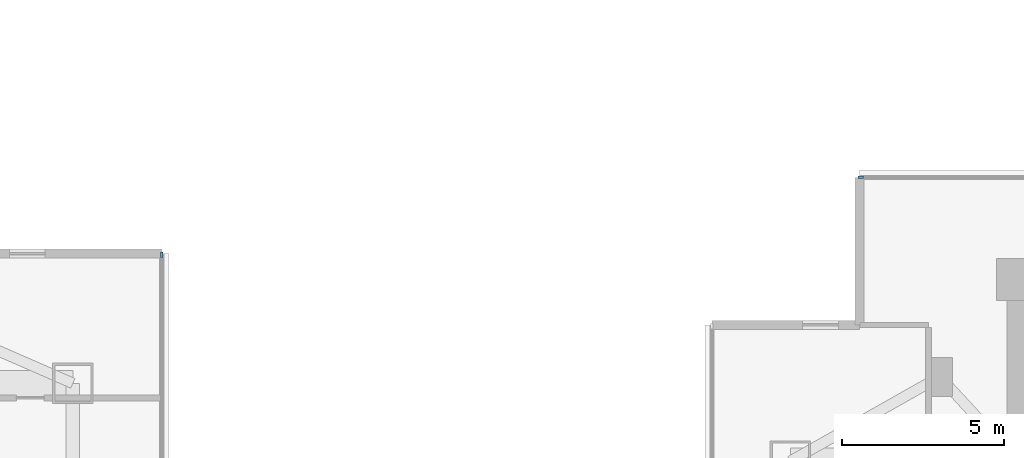
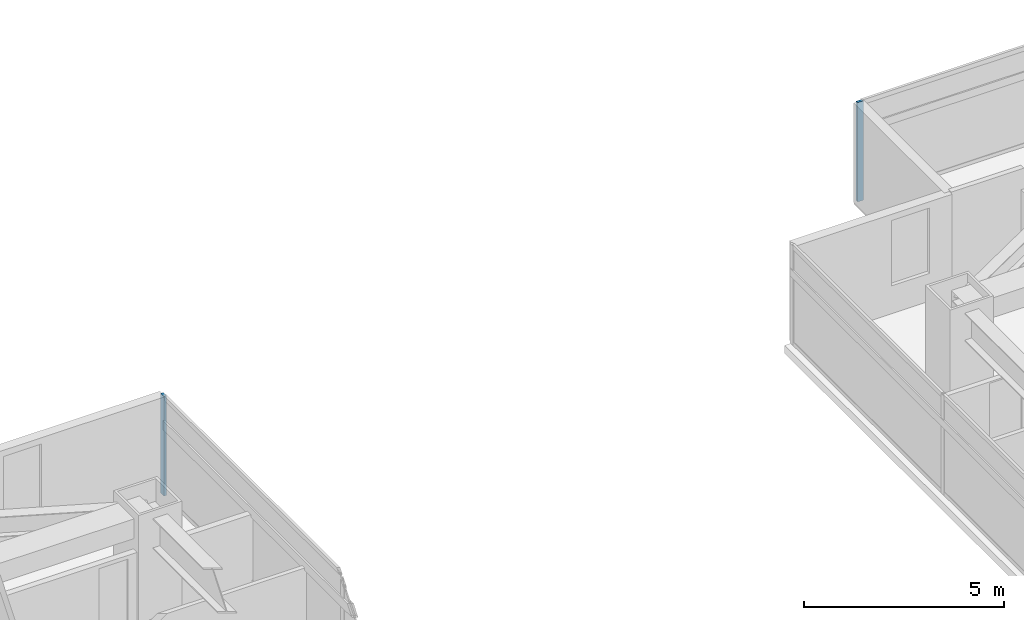
# One storey, part 8 of 25: 2 members, 2 elements without a shape of their own.
"""IFC4 building model written with IfcOpenShell, lengths in metres."""

from ifc_helpers import new_model, si_unit, direction, frame, origin, origin_2d, place, context, subcontext, project, spatial, rectangle, extrude, material, material_profile, profile_set, type_object, element, aggregate, save


model = new_model("IFC4")

# Units and contexts
model_context = context("Model", 3, precision=1e-05, world=origin(), true_north=direction((0.0, 1.0)))
body_context = subcontext(model_context, "Body", "Model", "MODEL_VIEW")
ifc_project = project(units=[si_unit("LENGTHUNIT", "METRE"), si_unit("AREAUNIT", "SQUARE_METRE"), si_unit("VOLUMEUNIT", "CUBIC_METRE"), si_unit("PLANEANGLEUNIT", "RADIAN"), si_unit("MASSUNIT", "GRAM", prefix="KILO")], contexts=[model_context])

# Site, building, storey
site_placement = place(None, origin())
site = spatial("IfcSite", under=ifc_project, at=site_placement, CompositionType="ELEMENT")
building_placement = place(site_placement, origin())
building = spatial("IfcBuilding", under=site, at=building_placement, Name="Mirazonda Arch Towers", CompositionType="ELEMENT")
storey_placement = place(building_placement, frame((0.0, 0.0, 58.699951171875)))
storey = spatial("IfcBuildingStorey", under=building, at=storey_placement, Name="L16", CompositionType="ELEMENT", Elevation=58.699951171875)

# Curtain wall, member
ifc_material_1 = material(Name="Anodised Aluminium and Low-E Glass", Category="aluminium")
curtain_wall_type = type_object("IfcCurtainWallType", Name="CW-HTL-UNIT", PredefinedType="NOTDEFINED", material=ifc_material_1)
curtain_wall_1_placement = place(storey_placement, origin())
curtain_wall_1 = element("IfcCurtainWall", 1, at=curtain_wall_1_placement, inside=storey, type_object=curtain_wall_type, Name="L16 T1 E Facade CW-L16-T1-E", PredefinedType="NOTDEFINED")
ifc_material_2 = material(Name="Anodised Aluminium Alloy", Category="aluminium")
ifc_material_profile = material_profile(ifc_material_2, rectangle(XDim=0.074951171875, YDim=0.1650390625, at=origin_2d()), Name="ALU-MULL-75x165")
ifc_profile_set = profile_set([ifc_material_profile], Name="Anodised Aluminium Alloy")
member_type = type_object("IfcMemberType", Name="MULL-CW-HTL-UNIT", PredefinedType="MULLION", material=ifc_profile_set)
member_1_placement = place(storey_placement, frame((41.639892578125, 41.55859375, 0.0), z_axis=(0.0, 0.0, 1.0), x_axis=(-1.0, 0.0, 0.0)))
member_1 = element("IfcMember", 2, at=member_1_placement, type_object=member_type, Name="CW-112 mullion 4", PredefinedType="MULLION", context=body_context, shape_type="SweptSolid", body=[
    extrude(rectangle(XDim=0.074951171875, YDim=0.1650390625, at=origin_2d()), origin(), (0.0, 0.0, 1.0), 3.0400390625),
])
aggregate(curtain_wall_1, [member_1])

curtain_wall_2_placement = place(storey_placement, origin())
curtain_wall_2 = element("IfcCurtainWall", 3, at=curtain_wall_2_placement, inside=storey, type_object=curtain_wall_type, Name="L16 T2 N Facade CW-L16-T2-N", PredefinedType="NOTDEFINED")
member_2_placement = place(storey_placement, frame((63.16748046875, 43.942626953125, 0.0), z_axis=(0.0, 0.0, 1.0), x_axis=(0.0, 1.0, 0.0)))
member_2 = element("IfcMember", 4, at=member_2_placement, type_object=member_type, Name="CW-112 mullion 1", PredefinedType="MULLION", context=body_context, shape_type="SweptSolid", body=[
    extrude(rectangle(XDim=0.074951171875, YDim=0.1650390625, at=origin_2d()), origin(), (0.0, 0.0, 1.0), 3.0400390625),
])
aggregate(curtain_wall_2, [member_2])

save(model, "model.ifc")
